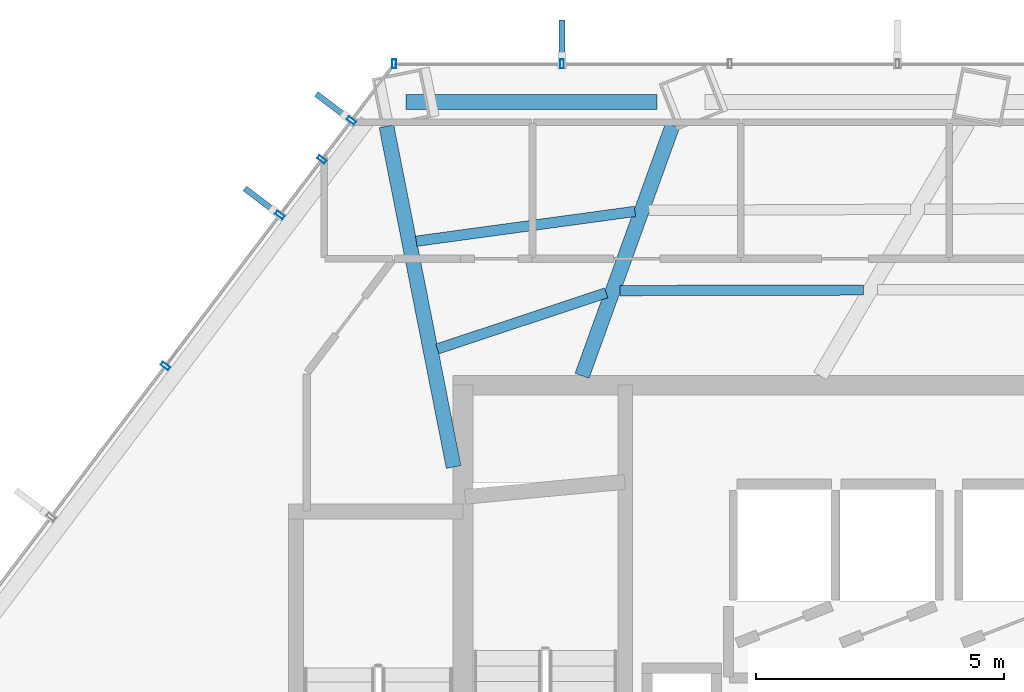
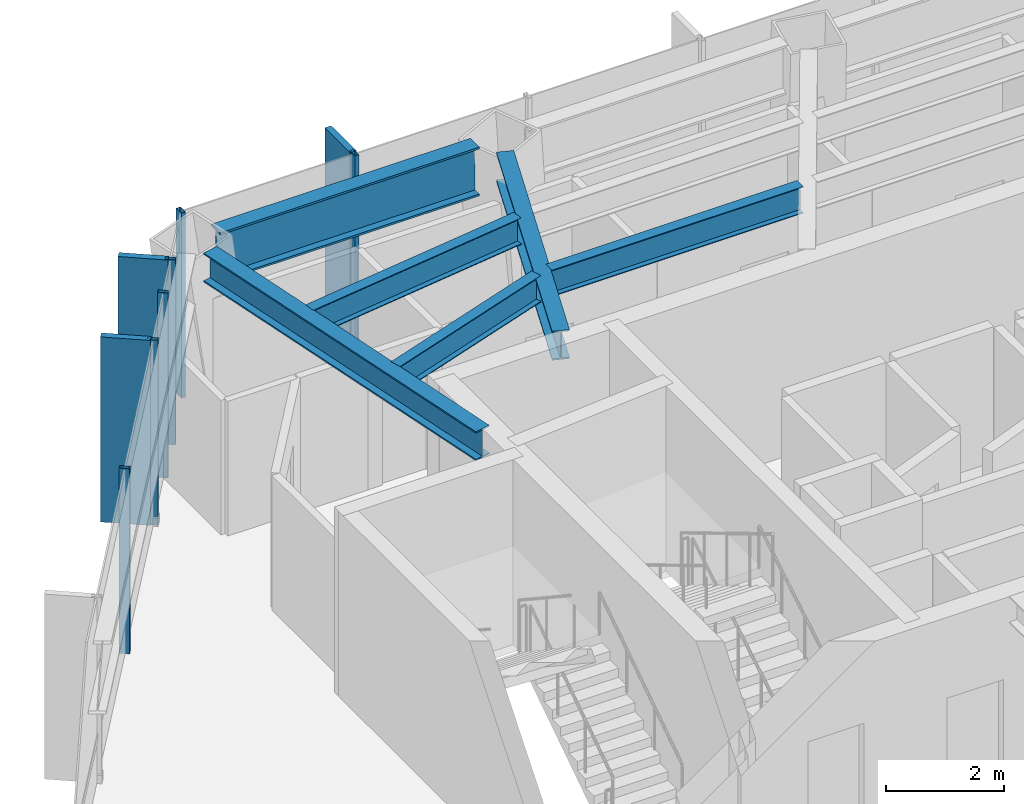
# One storey, part 13 of 26: 9 members, 6 beams, 2 elements without a shape of their own.
"""IFC4 building model written with IfcOpenShell, lengths in metres."""

from ifc_helpers import new_model, si_unit, direction, frame, origin, origin_2d, place, context, subcontext, project, spatial, rectangle, hollow_rectangle, i_section, extrude, material, layer, layer_set, material_profile, profile_set, type_object, element, aggregate, save


model = new_model("IFC4")

# Units and contexts
model_context = context("Model", 3, precision=1e-05, world=origin(), true_north=direction((0.0, 1.0)))
body_context = subcontext(model_context, "Body", "Model", "MODEL_VIEW")
ifc_project = project(units=[si_unit("LENGTHUNIT", "METRE"), si_unit("AREAUNIT", "SQUARE_METRE"), si_unit("VOLUMEUNIT", "CUBIC_METRE"), si_unit("PLANEANGLEUNIT", "RADIAN"), si_unit("MASSUNIT", "GRAM", prefix="KILO")], contexts=[model_context])

# Site, building, storey
site_placement = place(None, origin())
site = spatial("IfcSite", under=ifc_project, at=site_placement, CompositionType="ELEMENT")
building_placement = place(site_placement, origin())
building = spatial("IfcBuilding", under=site, at=building_placement, Name="Zarrinselat Tower", CompositionType="ELEMENT")
storey_placement = place(building_placement, frame((0.0, 0.0, 60.179931640625)))
storey = spatial("IfcBuildingStorey", under=building, at=storey_placement, Name="L14", CompositionType="ELEMENT", Elevation=60.179931640625)

# Beams
ifc_material_1 = material(Name="Steel S355J2", Category="steel")
ifc_material_profile_1 = material_profile(ifc_material_1, i_section(OverallWidth=0.300048828125, OverallDepth=0.60009765625, WebThickness=0.015380859375, FlangeThickness=0.030029296875, at=origin_2d()), Name="HEB 600")
ifc_profile_set_1 = profile_set([ifc_material_profile_1], Name="Steel S355J2")
beam_type_1 = type_object("IfcBeamType", Name="BM-HEB600", PredefinedType="BEAM", material=ifc_profile_set_1)
beam_1_placement = place(storey_placement, frame((31.0, 43.639892578125, 3.52001953125), z_axis=(0.339880240267, 0.940468724773, 0.0), x_axis=(-0.940468724773, 0.339880240267, 0.0)))
element("IfcBeam", 1, at=beam_1_placement, inside=storey, type_object=beam_type_1, Name="L14 Radial Primary Girder RG04", PredefinedType="BEAM", context=body_context, shape_type="SweptSolid", body=[
    extrude(i_section(OverallWidth=0.300048828125, OverallDepth=0.60009765625, WebThickness=0.015380859375, FlangeThickness=0.030029296875, at=origin_2d()), origin(), (0.0, 0.0, 1.0), 5.36865234375),
])
beam_2_placement = place(storey_placement, frame((27.056640625, 48.668701171875, 3.52001953125), z_axis=(0.19330530877, -0.981138653607, 0.0), x_axis=(0.981138653607, 0.19330530877, 0.0)))
element("IfcBeam", 2, at=beam_2_placement, inside=storey, type_object=beam_type_1, Name="L14 Radial Primary Girder RG05", PredefinedType="BEAM", context=body_context, shape_type="SweptSolid", body=[
    extrude(i_section(OverallWidth=0.300048828125, OverallDepth=0.60009765625, WebThickness=0.015380859375, FlangeThickness=0.030029296875, at=origin_2d()), origin(), (0.0, 0.0, 1.0), 7.000732421875),
])
ifc_material_2 = material(Name="Steel S460M", Category="steel")
ifc_material_profile_2 = material_profile(ifc_material_2, i_section(OverallWidth=0.302001953125, OverallDepth=1.008056640625, WebThickness=0.02099609375, FlangeThickness=0.0400390625, at=origin_2d()), Name="HEM 1000")
ifc_profile_set_2 = profile_set([ifc_material_profile_2], Name="Steel S460M")
beam_type_2 = type_object("IfcBeamType", Name="BM-HEM1000", PredefinedType="BEAM", material=ifc_profile_set_2)
beam_3_placement = place(storey_placement, frame((27.447509765625, 49.1611328125, 3.316162109375), z_axis=(1.0, 0.0, 0.0), x_axis=(0.0, 1.0, 0.0)))
element("IfcBeam", 3, at=beam_3_placement, inside=storey, type_object=beam_type_2, Name="L14 Perimeter Spandrel Girder SP04", PredefinedType="BEAM", context=body_context, shape_type="SweptSolid", body=[
    extrude(i_section(OverallWidth=0.302001953125, OverallDepth=1.008056640625, WebThickness=0.02099609375, FlangeThickness=0.0400390625, at=origin_2d()), origin(), (0.0, 0.0, 1.0), 5.059814453125),
])
ifc_material_3 = material(Name="Steel S355J2", Category="steel")
ifc_material_profile_3 = material_profile(ifc_material_3, i_section(OverallWidth=0.2099609375, OverallDepth=0.550048828125, WebThickness=0.010986328125, FlangeThickness=0.01708984375, at=origin_2d()), Name="IPE 550")
ifc_profile_set_3 = profile_set([ifc_material_profile_3], Name="Steel S355J2")
beam_type_3 = type_object("IfcBeamType", Name="BM-IPE550", PredefinedType="JOIST", material=ifc_profile_set_3)
beam_4_placement = place(storey_placement, frame((31.760498046875, 45.35693359375, 3.545166015625), z_axis=(0.999996787113, 0.002534909098, 0.0), x_axis=(-0.002534909098, 0.999996787113, 0.0)))
element("IfcBeam", 4, at=beam_4_placement, inside=storey, type_object=beam_type_3, Name="L14 Composite Floor Joist 9-2", PredefinedType="JOIST", context=body_context, shape_type="SweptSolid", body=[
    extrude(i_section(OverallWidth=0.2099609375, OverallDepth=0.550048828125, WebThickness=0.010986328125, FlangeThickness=0.01708984375, at=origin_2d()), origin(), (0.0, 0.0, 1.0), 4.911865234375),
])
beam_5_placement = place(storey_placement, frame((27.655517578125, 46.352294921875, 3.545166015625), z_axis=(0.990839511587, 0.135044667711, 0.0), x_axis=(-0.135044667711, 0.990839511587, 0.0)))
element("IfcBeam", 5, at=beam_5_placement, inside=storey, type_object=beam_type_3, Name="L14 Composite Floor Joist 10-1", PredefinedType="JOIST", context=body_context, shape_type="SweptSolid", body=[
    extrude(i_section(OverallWidth=0.2099609375, OverallDepth=0.550048828125, WebThickness=0.010986328125, FlangeThickness=0.01708984375, at=origin_2d()), origin(), (0.0, 0.0, 1.0), 4.450927734375),
])
beam_6_placement = place(storey_placement, frame((28.082763671875, 44.179443359375, 3.545166015625), z_axis=(0.948839666282, 0.315758274144, 0.0), x_axis=(-0.315758274144, 0.948839666282, 0.0)))
element("IfcBeam", 6, at=beam_6_placement, inside=storey, type_object=beam_type_3, Name="L14 Composite Floor Joist 10-2", PredefinedType="JOIST", context=body_context, shape_type="SweptSolid", body=[
    extrude(i_section(OverallWidth=0.2099609375, OverallDepth=0.550048828125, WebThickness=0.010986328125, FlangeThickness=0.01708984375, at=origin_2d()), origin(), (0.0, 0.0, 1.0), 3.58837890625),
])

# Curtain wall, members
ifc_material_4 = material(Name="Extruded Aluminium Alloy EN AW-6063 T6", Category="aluminium")
ifc_layer = layer(ifc_material_4, 0.18505859375)
ifc_layer_set = layer_set([ifc_layer], Name="Extruded Aluminium Alloy EN AW-6063 T6")
curtain_wall_type = type_object("IfcCurtainWallType", Name="CWS-OFF", PredefinedType="NOTDEFINED", material=ifc_layer_set)
curtain_wall_1_placement = place(storey_placement, origin())
curtain_wall_1 = element("IfcCurtainWall", 7, at=curtain_wall_1_placement, inside=storey, type_object=curtain_wall_type, Name="L14 Unitised Curtain Wall CW-L14-E01", PredefinedType="NOTDEFINED")
ifc_material_5 = material(Name="Extruded Aluminium Alloy EN AW-6063 T6", Category="aluminium")
ifc_material_profile_4 = material_profile(ifc_material_5, hollow_rectangle(XDim=0.080078125, YDim=0.179931640625, WallThickness=0.0048828125, at=origin_2d()), Name="RHS 180x80x5")
ifc_profile_set_4 = profile_set([ifc_material_profile_4], Name="Extruded Aluminium Alloy EN AW-6063 T6")
member_type_1 = type_object("IfcMemberType", Name="MEM-CW-MUL", PredefinedType="MULLION", material=ifc_profile_set_4)
member_1_placement = place(storey_placement, frame((30.59521484375, 49.927734375, 0.0), z_axis=(0.0, 0.0, 1.0), x_axis=(-1.0, 0.0, 0.0)))
member_1 = element("IfcMember", 8, at=member_1_placement, type_object=member_type_1, Name="CW-L14-E01 Mullion 7", PredefinedType="MULLION", context=body_context, shape_type="SweptSolid", body=[
    extrude(hollow_rectangle(XDim=0.080078125, YDim=0.179931640625, WallThickness=0.0048828125, at=origin_2d()), origin(), (0.0, 0.0, 1.0), 3.820068359375),
])
member_2_placement = place(storey_placement, frame((27.21142578125, 49.927734375, 0.0), z_axis=(0.0, 0.0, 1.0), x_axis=(-1.0, 0.0, 0.0)))
member_2 = element("IfcMember", 9, at=member_2_placement, type_object=member_type_1, Name="CW-L14-E01 Mullion 8", PredefinedType="MULLION", context=body_context, shape_type="SweptSolid", body=[
    extrude(hollow_rectangle(XDim=0.080078125, YDim=0.179931640625, WallThickness=0.0048828125, at=origin_2d()), origin(), (0.0, 0.0, 1.0), 3.820068359375),
])

curtain_wall_2_placement = place(storey_placement, origin())
curtain_wall_2 = element("IfcCurtainWall", 10, at=curtain_wall_2_placement, inside=storey, type_object=curtain_wall_type, Name="L14 Unitised Curtain Wall CW-L14-E02", PredefinedType="NOTDEFINED")
member_3_placement = place(storey_placement, frame((26.3466796875, 48.7861328125, 0.0), z_axis=(0.0, 0.0, 1.0), x_axis=(-0.603859502298, -0.797090773679, 0.0)))
member_3 = element("IfcMember", 11, at=member_3_placement, type_object=member_type_1, Name="CW-L14-E02 Mullion 1", PredefinedType="MULLION", context=body_context, shape_type="SweptSolid", body=[
    extrude(hollow_rectangle(XDim=0.080078125, YDim=0.179931640625, WallThickness=0.0048828125, at=origin_2d()), origin(), (0.0, 0.0, 1.0), 3.820068359375),
])
member_4_placement = place(storey_placement, frame((25.752197265625, 48.00146484375, 0.0), z_axis=(0.0, 0.0, 1.0), x_axis=(-0.603859502298, -0.797090773679, 0.0)))
member_4 = element("IfcMember", 12, at=member_4_placement, type_object=member_type_1, Name="CW-L14-E02 Mullion 2", PredefinedType="MULLION", context=body_context, shape_type="SweptSolid", body=[
    extrude(hollow_rectangle(XDim=0.080078125, YDim=0.179931640625, WallThickness=0.0048828125, at=origin_2d()), origin(), (0.0, 0.0, 1.0), 3.820068359375),
])
member_5_placement = place(storey_placement, frame((24.904541015625, 46.8828125, 0.0), z_axis=(0.0, 0.0, 1.0), x_axis=(-0.603859502298, -0.797090773679, 0.0)))
member_5 = element("IfcMember", 13, at=member_5_placement, type_object=member_type_1, Name="CW-L14-E02 Mullion 3", PredefinedType="MULLION", context=body_context, shape_type="SweptSolid", body=[
    extrude(hollow_rectangle(XDim=0.080078125, YDim=0.179931640625, WallThickness=0.0048828125, at=origin_2d()), origin(), (0.0, 0.0, 1.0), 3.820068359375),
])
member_6_placement = place(storey_placement, frame((22.59765625, 43.837646484375, 0.0), z_axis=(0.0, 0.0, 1.0), x_axis=(-0.603859502298, -0.797090773679, 0.0)))
member_6 = element("IfcMember", 14, at=member_6_placement, type_object=member_type_1, Name="CW-L14-E02 Mullion 4", PredefinedType="MULLION", context=body_context, shape_type="SweptSolid", body=[
    extrude(hollow_rectangle(XDim=0.080078125, YDim=0.179931640625, WallThickness=0.0048828125, at=origin_2d()), origin(), (0.0, 0.0, 1.0), 3.820068359375),
])

# Member
ifc_material_6 = material(Name="Honed Cream Travertine Stone", Category="masonry")
ifc_material_profile_5 = material_profile(ifc_material_6, rectangle(XDim=0.1201171875, YDim=0.85009765625, at=origin_2d()), Name="FIN 850x120")
ifc_profile_set_5 = profile_set([ifc_material_profile_5], Name="Honed Cream Travertine Stone")
member_type_2 = type_object("IfcMemberType", Name="MEM-STONE-FIN", PredefinedType="USERDEFINED", material=ifc_profile_set_5)
member_7_placement = place(storey_placement, frame((30.59521484375, 50.3876953125, 0.0), z_axis=(0.0, 0.0, 1.0), x_axis=(1.0, 0.0, 0.0)))
member_7 = element("IfcMember", 15, at=member_7_placement, type_object=member_type_2, Name="L14 Stone Shading Fin CW-L14-E01-07", ObjectType="FIN", PredefinedType="USERDEFINED", context=body_context, shape_type="SweptSolid", body=[
    extrude(rectangle(XDim=0.1201171875, YDim=0.85009765625, at=origin_2d()), origin(), (0.0, 0.0, 1.0), 3.820068359375),
])

aggregate(curtain_wall_1, [member_1, member_7, member_2])

member_8_placement = place(storey_placement, frame((25.97998046875, 49.06396484375, 0.0), z_axis=(0.0, 0.0, 1.0), x_axis=(0.603859502298, 0.797090773679, 0.0)))
member_8 = element("IfcMember", 16, at=member_8_placement, type_object=member_type_2, Name="L14 Stone Shading Fin CW-L14-E02-01", ObjectType="FIN", PredefinedType="USERDEFINED", context=body_context, shape_type="SweptSolid", body=[
    extrude(rectangle(XDim=0.1201171875, YDim=0.85009765625, at=origin_2d()), origin(), (0.0, 0.0, 1.0), 3.820068359375),
])

member_9_placement = place(storey_placement, frame((24.537841796875, 47.160400390625, 0.0), z_axis=(0.0, 0.0, 1.0), x_axis=(0.603859502298, 0.797090773679, 0.0)))
member_9 = element("IfcMember", 17, at=member_9_placement, type_object=member_type_2, Name="L14 Stone Shading Fin CW-L14-E02-03", ObjectType="FIN", PredefinedType="USERDEFINED", context=body_context, shape_type="SweptSolid", body=[
    extrude(rectangle(XDim=0.1201171875, YDim=0.85009765625, at=origin_2d()), origin(), (0.0, 0.0, 1.0), 3.820068359375),
])

aggregate(curtain_wall_2, [member_3, member_8, member_4, member_5, member_9, member_6])

save(model, "model.ifc")
